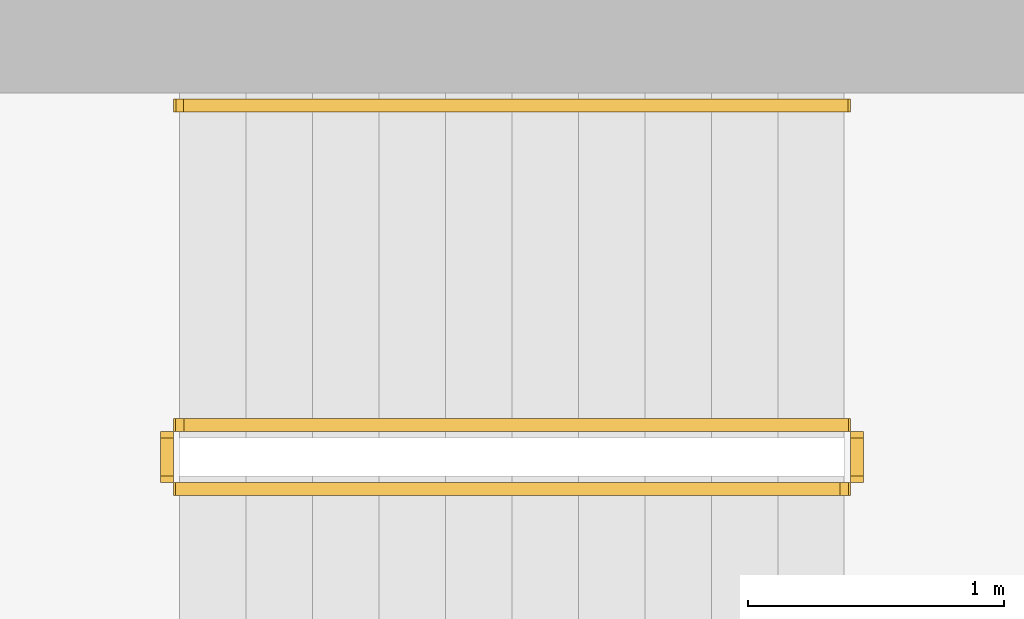
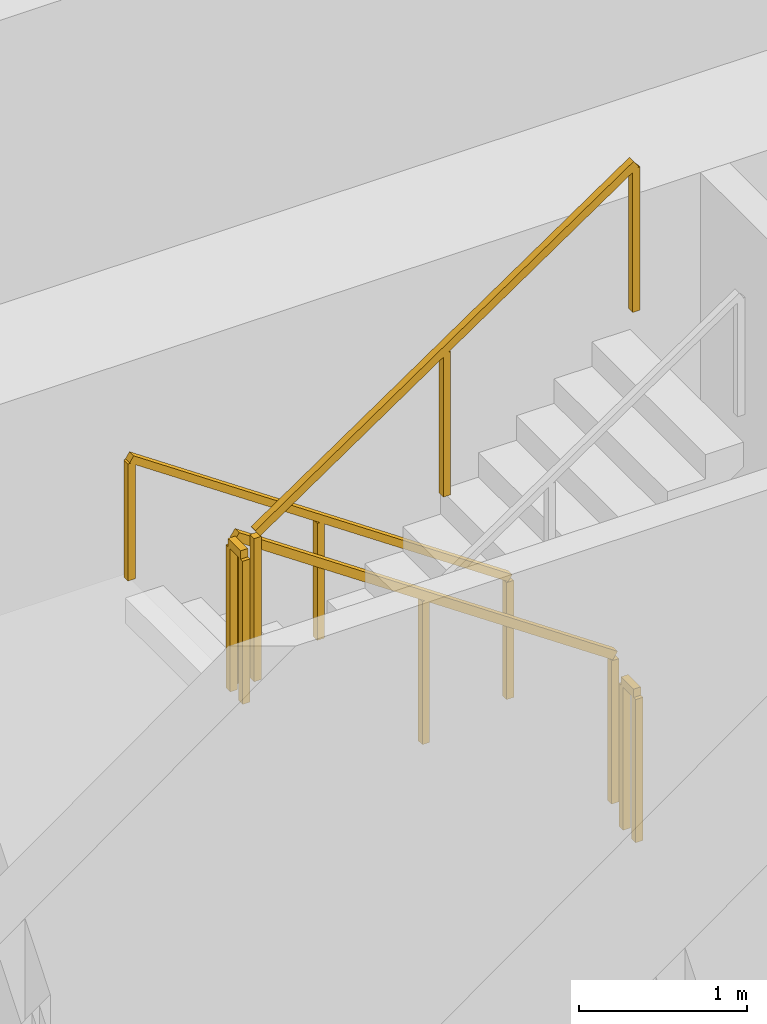
# One storey, part 13 of 14: 5 railings.
"""IFC4 building model written with IfcOpenShell, lengths in metres."""

from ifc_helpers import new_model, si_unit, direction, frame, origin, origin_2d, place, context, subcontext, project, spatial, rectangle, extrude, material, type_object, element, save


model = new_model("IFC4")

# Units and contexts
model_context = context("Model", 3, precision=1e-05, world=origin(), true_north=direction((0.0, 1.0)))
body_context = subcontext(model_context, "Body", "Model", "MODEL_VIEW")
ifc_project = project(units=[si_unit("LENGTHUNIT", "METRE"), si_unit("AREAUNIT", "SQUARE_METRE"), si_unit("VOLUMEUNIT", "CUBIC_METRE"), si_unit("PLANEANGLEUNIT", "RADIAN"), si_unit("MASSUNIT", "GRAM", prefix="KILO")], contexts=[model_context])

# Site, building, storey
site_placement = place(None, origin())
site = spatial("IfcSite", under=ifc_project, at=site_placement, CompositionType="ELEMENT")
building_placement = place(site_placement, origin())
building = spatial("IfcBuilding", under=site, at=building_placement, Name="Khepri Terraces", CompositionType="ELEMENT")
storey_placement = place(building_placement, frame((0.0, 0.0, 279.60009765625)))
storey = spatial("IfcBuildingStorey", under=building, at=storey_placement, Name="L67", CompositionType="ELEMENT", Elevation=279.60009765625)

# Railings
ifc_material = material(Name="Stainless steel 316", Category="steel")
railing_type_1 = type_object("IfcRailingType", Name="RL-CORE-GUARD", PredefinedType="GUARDRAIL", material=ifc_material)
railing_1_placement = place(storey_placement, frame((-0.25, 8.800048828125, 0.17724609375)))
element("IfcRailing", 1, at=railing_1_placement, inside=storey, type_object=railing_type_1, Name="L67 ST-3 stair guard 1", PredefinedType="GUARDRAIL", context=body_context, shape_type="SweptSolid", body=[
    extrude(rectangle(XDim=0.050048828125, YDim=0.06005859375, at=origin_2d()), frame((0.0, 0.0, 1.070068359375), z_axis=(-0.826240473404, 0.0, 0.563317565952), x_axis=(0.0, -1.0, 0.0)), (0.0, 0.0, 1.0), 3.14697265625),
    extrude(rectangle(XDim=0.050048828125, YDim=0.050048828125, at=origin_2d()), origin(), (0.0, 0.0, 1.0), 1.0400390625),
    extrude(rectangle(XDim=0.050048828125, YDim=0.050048828125, at=origin_2d()), frame((-1.300048828125, 0.0, 0.88623046875)), (0.0, 0.0, 1.0), 1.0400390625),
    extrude(rectangle(XDim=0.050048828125, YDim=0.050048828125, at=origin_2d()), frame((-2.60009765625, 0.0, 1.772705078125)), (0.0, 0.0, 1.0), 1.0400390625),
])
railing_2_placement = place(storey_placement, frame((-2.89990234375, 8.75, 1.949951171875)))
element("IfcRailing", 2, at=railing_2_placement, inside=storey, type_object=railing_type_1, Name="L67 ST-3 stair guard 2", PredefinedType="GUARDRAIL", context=body_context, shape_type="SweptSolid", body=[
    extrude(rectangle(XDim=0.050048828125, YDim=0.06005859375, at=origin_2d()), frame((0.0, 0.0, 1.070068359375), z_axis=(0.0, -1.0, 0.0), x_axis=(1.0, 0.0, 0.0)), (0.0, 0.0, 1.0), 0.14990234375),
    extrude(rectangle(XDim=0.050048828125, YDim=0.050048828125, at=origin_2d()), origin(), (0.0, 0.0, 1.0), 1.0400390625),
    extrude(rectangle(XDim=0.050048828125, YDim=0.050048828125, at=origin_2d()), frame((0.0, -0.14990234375, 0.0)), (0.0, 0.0, 1.0), 1.0400390625),
])
railing_3_placement = place(storey_placement, frame((-2.85009765625, 8.550048828125, 2.127197265625)))
element("IfcRailing", 3, at=railing_3_placement, inside=storey, type_object=railing_type_1, Name="L67 ST-3 stair guard 3", PredefinedType="GUARDRAIL", context=body_context, shape_type="SweptSolid", body=[
    extrude(rectangle(XDim=0.050048828125, YDim=0.06005859375, at=origin_2d()), frame((0.0, 0.0, 1.070068359375), z_axis=(0.826240473404, 0.0, 0.563317565952), x_axis=(0.0, 1.0, 0.0)), (0.0, 0.0, 1.0), 3.14697265625),
    extrude(rectangle(XDim=0.050048828125, YDim=0.050048828125, at=origin_2d()), origin(), (0.0, 0.0, 1.0), 1.0400390625),
    extrude(rectangle(XDim=0.050048828125, YDim=0.050048828125, at=origin_2d()), frame((1.300048828125, 0.0, 0.88623046875)), (0.0, 0.0, 1.0), 1.0400390625),
    extrude(rectangle(XDim=0.050048828125, YDim=0.050048828125, at=origin_2d()), frame((2.60009765625, 0.0, 1.772705078125)), (0.0, 0.0, 1.0), 1.0400390625),
])
railing_4_placement = place(storey_placement, frame((-0.199951171875, 8.75, 0.0)))
element("IfcRailing", 4, at=railing_4_placement, inside=storey, type_object=railing_type_1, Name="L67 ST-3 stair guard 4", PredefinedType="GUARDRAIL", context=body_context, shape_type="SweptSolid", body=[
    extrude(rectangle(XDim=0.050048828125, YDim=0.06005859375, at=origin_2d()), frame((0.0, 0.0, 1.070068359375), z_axis=(0.0, -1.0, 0.0), x_axis=(1.0, 0.0, 0.0)), (0.0, 0.0, 1.0), 0.14990234375),
    extrude(rectangle(XDim=0.050048828125, YDim=0.050048828125, at=origin_2d()), origin(), (0.0, 0.0, 1.0), 1.0400390625),
    extrude(rectangle(XDim=0.050048828125, YDim=0.050048828125, at=origin_2d()), frame((0.0, -0.14990234375, 0.0)), (0.0, 0.0, 1.0), 1.0400390625),
])
railing_type_2 = type_object("IfcRailingType", Name="RL-CORE-HANDRAIL", PredefinedType="HANDRAIL", material=ifc_material)
railing_5_placement = place(storey_placement, frame((-0.25, 10.050048828125, 0.17724609375)))
element("IfcRailing", 5, at=railing_5_placement, inside=storey, type_object=railing_type_2, Name="L67 ST-3 stair handrail 1", PredefinedType="HANDRAIL", context=body_context, shape_type="SweptSolid", body=[
    extrude(rectangle(XDim=0.050048828125, YDim=0.050048828125, at=origin_2d()), frame((0.0, 0.0, 0.875), z_axis=(-0.826240473404, 0.0, 0.563317565952), x_axis=(0.0, -1.0, 0.0)), (0.0, 0.0, 1.0), 3.14697265625),
    extrude(rectangle(XDim=0.050048828125, YDim=0.050048828125, at=origin_2d()), origin(), (0.0, 0.0, 1.0), 0.849853515625),
    extrude(rectangle(XDim=0.050048828125, YDim=0.050048828125, at=origin_2d()), frame((-1.300048828125, 0.0, 0.88623046875)), (0.0, 0.0, 1.0), 0.849853515625),
    extrude(rectangle(XDim=0.050048828125, YDim=0.050048828125, at=origin_2d()), frame((-2.60009765625, 0.0, 1.772705078125)), (0.0, 0.0, 1.0), 0.849853515625),
])

save(model, "model.ifc")
